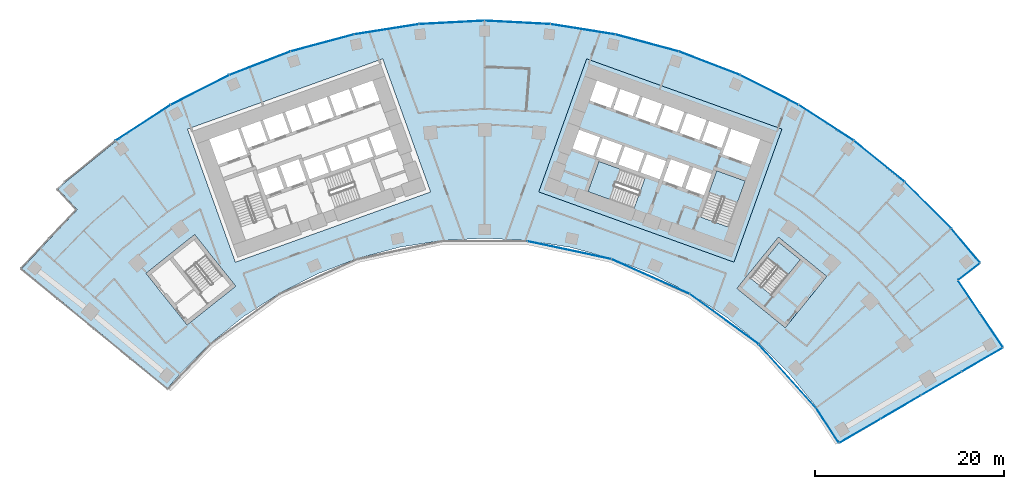
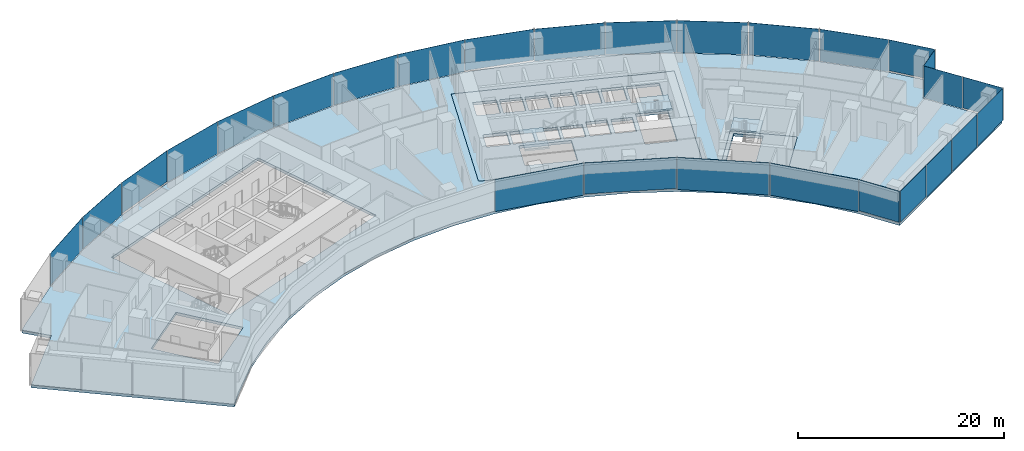
# One storey, part 12 of 20: 27 plates, 6 slabs, 8 elements without a shape of their own.
"""IFC4 building model written with IfcOpenShell, lengths in metres."""

from ifc_helpers import new_model, si_unit, direction, frame, origin, origin_2d, place, context, subcontext, project, spatial, polyline, rectangle, outline, extrude, material, layer, layer_set, type_object, element, aggregate, save


model = new_model("IFC4")

# Units and contexts
model_context = context("Model", 3, precision=1e-05, world=origin(), true_north=direction((0.0, 1.0)))
body_context = subcontext(model_context, "Body", "Model", "MODEL_VIEW")
ifc_project = project(units=[si_unit("LENGTHUNIT", "METRE"), si_unit("AREAUNIT", "SQUARE_METRE"), si_unit("VOLUMEUNIT", "CUBIC_METRE"), si_unit("PLANEANGLEUNIT", "RADIAN"), si_unit("MASSUNIT", "GRAM", prefix="KILO")], contexts=[model_context])

# Site, building, storey
site_placement = place(None, origin())
site = spatial("IfcSite", under=ifc_project, at=site_placement, CompositionType="ELEMENT")
building_placement = place(site_placement, origin())
building = spatial("IfcBuilding", under=site, at=building_placement, Name="Stone Belt Terrace Tower", CompositionType="ELEMENT")
storey_placement = place(building_placement, frame((0.0, 0.0, 106.0)))
storey = spatial("IfcBuildingStorey", under=building, at=storey_placement, Name="L25", CompositionType="ELEMENT", Elevation=106.0)

# Curtain wall, plates
ifc_material_1 = material(Name="Aluminium 6063-T6 anodised frame", Category="aluminium")
ifc_layer_1 = layer(ifc_material_1, 0.14990234375)
ifc_layer_set_1 = layer_set([ifc_layer_1], Name="CW-A unitised convex-face curtain wall")
curtain_wall_type_1 = type_object("IfcCurtainWallType", Name="CW-A unitised convex-face curtain wall", PredefinedType="NOTDEFINED", material=ifc_layer_set_1)
curtain_wall_1_placement = place(storey_placement, origin())
curtain_wall_1 = element("IfcCurtainWall", 1, at=curtain_wall_1_placement, inside=storey, type_object=curtain_wall_type_1, Name="CW-A convex face L25", PredefinedType="NOTDEFINED")
ifc_material_2 = material(Name="Clear double glazed unit")
ifc_layer_2 = layer(ifc_material_2, 0.031982421875)
ifc_layer_set_2 = layer_set([ifc_layer_2], Name="CW-A glass panel 32")
plate_type_1 = type_object("IfcPlateType", Name="CW-A glass panel 32", PredefinedType="CURTAIN_PANEL", material=ifc_layer_set_2)
plate_1_placement = place(storey_placement, frame((50.993896484375, 42.73583984375, 0.14013671875), z_axis=(0.0, 0.0, 1.0), x_axis=(-0.642509184121, 0.766277983711, 0.0)))
plate_1 = element("IfcPlate", 2, at=plate_1_placement, type_object=plate_type_1, Name="CW-A panel 1.1", PredefinedType="CURTAIN_PANEL", context=body_context, shape_type="SweptSolid", body=[
    extrude(rectangle(XDim=4.662841796875, YDim=0.031982421875, at=origin_2d()), origin(), (0.0, 0.0, 1.0), 3.659912109375),
])
plate_2_placement = place(storey_placement, frame((47.01123046875, 47.01123046875, 0.0), z_axis=(0.0, 0.0, 1.0), x_axis=(-0.707106781187, 0.707106781187, 0.0)))
plate_2 = element("IfcPlate", 3, at=plate_2_placement, type_object=plate_type_1, Name="CW-A panel 2.1", PredefinedType="CURTAIN_PANEL", context=body_context, shape_type="SweptSolid", body=[
    extrude(rectangle(XDim=6.90087890625, YDim=0.031982421875, at=origin_2d()), origin(), (0.0, 0.0, 1.0), 3.800048828125),
])
plate_3_placement = place(storey_placement, frame((41.839599609375, 51.667724609375, 0.0), z_axis=(0.0, 0.0, 1.0), x_axis=(-0.777145961457, 0.62932039105, 0.0)))
plate_3 = element("IfcPlate", 4, at=plate_3_placement, type_object=plate_type_1, Name="CW-A panel 3.1", PredefinedType="CURTAIN_PANEL", context=body_context, shape_type="SweptSolid", body=[
    extrude(rectangle(XDim=6.90087890625, YDim=0.031982421875, at=origin_2d()), origin(), (0.0, 0.0, 1.0), 3.800048828125),
])
plate_4_placement = place(storey_placement, frame((36.209716796875, 55.758056640625, 0.0), z_axis=(0.0, 0.0, 1.0), x_axis=(-0.838670567945, 0.544639035015, 0.0)))
plate_4 = element("IfcPlate", 5, at=plate_4_placement, type_object=plate_type_1, Name="CW-A panel 4.1", PredefinedType="CURTAIN_PANEL", context=body_context, shape_type="SweptSolid", body=[
    extrude(rectangle(XDim=6.90087890625, YDim=0.031982421875, at=origin_2d()), origin(), (0.0, 0.0, 1.0), 3.800048828125),
])
plate_5_placement = place(storey_placement, frame((30.18310546875, 59.237548828125, 0.0), z_axis=(0.0, 0.0, 1.0), x_axis=(-0.891006524188, 0.45399049974, 0.0)))
plate_5 = element("IfcPlate", 6, at=plate_5_placement, type_object=plate_type_1, Name="CW-A panel 5.1", PredefinedType="CURTAIN_PANEL", context=body_context, shape_type="SweptSolid", body=[
    extrude(rectangle(XDim=6.90087890625, YDim=0.031982421875, at=origin_2d()), origin(), (0.0, 0.0, 1.0), 3.800048828125),
])
plate_6_placement = place(storey_placement, frame((23.82568359375, 62.068115234375, 0.0), z_axis=(0.0, 0.0, 1.0), x_axis=(-0.933580426497, 0.358367949545, 0.0)))
plate_6 = element("IfcPlate", 7, at=plate_6_placement, type_object=plate_type_1, Name="CW-A panel 6.1", PredefinedType="CURTAIN_PANEL", context=body_context, shape_type="SweptSolid", body=[
    extrude(rectangle(XDim=6.90087890625, YDim=0.031982421875, at=origin_2d()), origin(), (0.0, 0.0, 1.0), 3.800048828125),
])
plate_7_placement = place(storey_placement, frame((17.207275390625, 64.218505859375, 0.14013671875), z_axis=(0.0, 0.0, 1.0), x_axis=(-0.965925826289, 0.258819045103, 0.0)))
plate_7 = element("IfcPlate", 8, at=plate_7_placement, type_object=plate_type_1, Name="CW-A panel 7.1", PredefinedType="CURTAIN_PANEL", context=body_context, shape_type="SweptSolid", body=[
    extrude(rectangle(XDim=6.90087890625, YDim=0.031982421875, at=origin_2d()), origin(), (0.0, 0.0, 1.0), 3.659912109375),
])
plate_8_placement = place(storey_placement, frame((10.400390625, 65.665283203125, 0.0), z_axis=(0.0, 0.0, 1.0), x_axis=(-0.987688340595, 0.15643446504, 0.0)))
plate_8 = element("IfcPlate", 9, at=plate_8_placement, type_object=plate_type_1, Name="CW-A panel 8.1", PredefinedType="CURTAIN_PANEL", context=body_context, shape_type="SweptSolid", body=[
    extrude(rectangle(XDim=6.90087890625, YDim=0.031982421875, at=origin_2d()), origin(), (0.0, 0.0, 1.0), 3.800048828125),
])
plate_9_placement = place(storey_placement, frame((3.4794921875, 66.392822265625, 0.0), z_axis=(0.0, 0.0, 1.0), x_axis=(-0.998629534755, 0.052335956243, 0.0)))
plate_9 = element("IfcPlate", 10, at=plate_9_placement, type_object=plate_type_1, Name="CW-A panel 9.1", PredefinedType="CURTAIN_PANEL", context=body_context, shape_type="SweptSolid", body=[
    extrude(rectangle(XDim=6.90087890625, YDim=0.031982421875, at=origin_2d()), origin(), (0.0, 0.0, 1.0), 3.800048828125),
])
plate_10_placement = place(storey_placement, frame((-3.4794921875, 66.392822265625, 0.0), z_axis=(0.0, 0.0, 1.0), x_axis=(-0.998629534755, -0.052335956243, 0.0)))
plate_10 = element("IfcPlate", 11, at=plate_10_placement, type_object=plate_type_1, Name="CW-A panel 10.1", PredefinedType="CURTAIN_PANEL", context=body_context, shape_type="SweptSolid", body=[
    extrude(rectangle(XDim=6.90087890625, YDim=0.031982421875, at=origin_2d()), origin(), (0.0, 0.0, 1.0), 3.800048828125),
])
plate_11_placement = place(storey_placement, frame((-10.400390625, 65.665283203125, 0.0), z_axis=(0.0, 0.0, 1.0), x_axis=(-0.987688340595, -0.15643446504, 0.0)))
plate_11 = element("IfcPlate", 12, at=plate_11_placement, type_object=plate_type_1, Name="CW-A panel 11.1", PredefinedType="CURTAIN_PANEL", context=body_context, shape_type="SweptSolid", body=[
    extrude(rectangle(XDim=6.90087890625, YDim=0.031982421875, at=origin_2d()), origin(), (0.0, 0.0, 1.0), 3.800048828125),
])
plate_12_placement = place(storey_placement, frame((-17.207275390625, 64.218505859375, 0.0), z_axis=(0.0, 0.0, 1.0), x_axis=(-0.965925826289, -0.258819045103, 0.0)))
plate_12 = element("IfcPlate", 13, at=plate_12_placement, type_object=plate_type_1, Name="CW-A panel 12.1", PredefinedType="CURTAIN_PANEL", context=body_context, shape_type="SweptSolid", body=[
    extrude(rectangle(XDim=6.90087890625, YDim=0.031982421875, at=origin_2d()), origin(), (0.0, 0.0, 1.0), 3.800048828125),
])
plate_13_placement = place(storey_placement, frame((-23.82568359375, 62.068115234375, 0.14013671875), z_axis=(0.0, 0.0, 1.0), x_axis=(-0.933580426497, -0.358367949545, 0.0)))
plate_13 = element("IfcPlate", 14, at=plate_13_placement, type_object=plate_type_1, Name="CW-A panel 13.1", PredefinedType="CURTAIN_PANEL", context=body_context, shape_type="SweptSolid", body=[
    extrude(rectangle(XDim=6.90087890625, YDim=0.031982421875, at=origin_2d()), origin(), (0.0, 0.0, 1.0), 3.659912109375),
])
plate_14_placement = place(storey_placement, frame((-30.18310546875, 59.237548828125, 0.0), z_axis=(0.0, 0.0, 1.0), x_axis=(-0.891006524188, -0.45399049974, 0.0)))
plate_14 = element("IfcPlate", 15, at=plate_14_placement, type_object=plate_type_1, Name="CW-A panel 14.1", PredefinedType="CURTAIN_PANEL", context=body_context, shape_type="SweptSolid", body=[
    extrude(rectangle(XDim=6.90087890625, YDim=0.031982421875, at=origin_2d()), origin(), (0.0, 0.0, 1.0), 3.800048828125),
])
plate_15_placement = place(storey_placement, frame((-36.209716796875, 55.758056640625, 0.0), z_axis=(0.0, 0.0, 1.0), x_axis=(-0.838670567945, -0.544639035015, 0.0)))
plate_15 = element("IfcPlate", 16, at=plate_15_placement, type_object=plate_type_1, Name="CW-A panel 15.1", PredefinedType="CURTAIN_PANEL", context=body_context, shape_type="SweptSolid", body=[
    extrude(rectangle(XDim=6.90087890625, YDim=0.031982421875, at=origin_2d()), origin(), (0.0, 0.0, 1.0), 3.800048828125),
])
aggregate(curtain_wall_1, [plate_1, plate_2, plate_3, plate_4, plate_5, plate_6, plate_7, plate_8, plate_9, plate_10, plate_11, plate_12, plate_13, plate_14, plate_15])

ifc_layer_3 = layer(ifc_material_1, 0.14990234375)
ifc_layer_set_3 = layer_set([ifc_layer_3], Name="CW-B unitised concave-face curtain wall")
curtain_wall_type_2 = type_object("IfcCurtainWallType", Name="CW-B unitised concave-face curtain wall", PredefinedType="NOTDEFINED", material=ifc_layer_set_3)
curtain_wall_2_placement = place(storey_placement, origin())
curtain_wall_2 = element("IfcCurtainWall", 17, at=curtain_wall_2_placement, inside=storey, type_object=curtain_wall_type_2, Name="CW-B concave face L25", PredefinedType="NOTDEFINED")
ifc_layer_4 = layer(ifc_material_2, 0.030029296875)
ifc_layer_set_4 = layer_set([ifc_layer_4], Name="CW-B glass panel 30")
plate_type_2 = type_object("IfcPlateType", Name="CW-B glass panel 30", PredefinedType="CURTAIN_PANEL", material=ifc_layer_set_4)
plate_16_placement = place(storey_placement, frame((8.97900390625, 42.242919921875, 0.0), z_axis=(0.0, 0.0, 1.0), x_axis=(0.978147600734, -0.207911690818, 0.0)))
plate_16 = element("IfcPlate", 18, at=plate_16_placement, type_object=plate_type_2, Name="CW-B panel 6.1", PredefinedType="CURTAIN_PANEL", context=body_context, shape_type="SweptSolid", body=[
    extrude(rectangle(XDim=9.0126953125, YDim=0.030029296875, at=origin_2d()), origin(), (0.0, 0.0, 1.0), 3.800048828125),
])
plate_17_placement = place(storey_placement, frame((17.565673828125, 39.453125, 0.1201171875), z_axis=(0.0, 0.0, 1.0), x_axis=(0.913545457643, -0.406736643076, 0.0)))
plate_17 = element("IfcPlate", 19, at=plate_17_placement, type_object=plate_type_2, Name="CW-B panel 7.1", PredefinedType="CURTAIN_PANEL", context=body_context, shape_type="SweptSolid", body=[
    extrude(rectangle(XDim=9.0126953125, YDim=0.030029296875, at=origin_2d()), origin(), (0.0, 0.0, 1.0), 3.679931640625),
])
plate_18_placement = place(storey_placement, frame((25.384521484375, 34.938720703125, 0.0), z_axis=(0.0, 0.0, 1.0), x_axis=(0.809016994375, -0.587785252292, 0.0)))
plate_18 = element("IfcPlate", 20, at=plate_18_placement, type_object=plate_type_2, Name="CW-B panel 8.1", PredefinedType="CURTAIN_PANEL", context=body_context, shape_type="SweptSolid", body=[
    extrude(rectangle(XDim=9.0126953125, YDim=0.030029296875, at=origin_2d()), origin(), (0.0, 0.0, 1.0), 3.800048828125),
])
plate_19_placement = place(storey_placement, frame((32.09521484375, 28.89599609375, 0.0), z_axis=(0.0, 0.0, 1.0), x_axis=(0.669130606359, -0.743144825477, 0.0)))
plate_19 = element("IfcPlate", 21, at=plate_19_placement, type_object=plate_type_2, Name="CW-B panel 9.1", PredefinedType="CURTAIN_PANEL", context=body_context, shape_type="SweptSolid", body=[
    extrude(rectangle(XDim=9.016845703125, YDim=0.030029296875, at=origin_2d()), origin(), (0.0, 0.0, 1.0), 3.800048828125),
])
plate_20_placement = place(storey_placement, frame((36.3408203125, 23.66943359375, 0.1201171875), z_axis=(0.0, 0.0, 1.0), x_axis=(0.546131502436, -0.837699458068, 0.0)))
plate_20 = element("IfcPlate", 22, at=plate_20_placement, type_object=plate_type_2, Name="CW-B panel 10.1", PredefinedType="CURTAIN_PANEL", context=body_context, shape_type="SweptSolid", body=[
    extrude(rectangle(XDim=4.363525390625, YDim=0.030029296875, at=origin_2d()), origin(), (0.0, 0.0, 1.0), 3.679931640625),
])
aggregate(curtain_wall_2, [plate_16, plate_17, plate_18, plate_19, plate_20])

ifc_layer_5 = layer(ifc_material_1, 0.14990234375)
ifc_layer_set_5 = layer_set([ifc_layer_5], Name="CW-C stick curtain wall, horn ends and notches")
curtain_wall_type_3 = type_object("IfcCurtainWallType", Name="CW-C stick curtain wall, horn ends and notches", PredefinedType="NOTDEFINED", material=ifc_layer_set_5)
curtain_wall_3_placement = place(storey_placement, origin())
curtain_wall_3 = element("IfcCurtainWall", 23, at=curtain_wall_3_placement, inside=storey, type_object=curtain_wall_type_3, Name="CW-C end face L25", PredefinedType="NOTDEFINED")
ifc_layer_6 = layer(ifc_material_2, 0.028076171875)
ifc_layer_set_6 = layer_set([ifc_layer_6], Name="CW-C glass panel 28")
plate_type_3 = type_object("IfcPlateType", Name="CW-C glass panel 28", PredefinedType="CURTAIN_PANEL", material=ifc_layer_set_6)
plate_21_placement = place(storey_placement, frame((39.78076171875, 23.06982421875, 0.1201171875), z_axis=(0.0, 0.0, 1.0), x_axis=(0.864239322284, 0.503080901861, 0.0)))
plate_21 = element("IfcPlate", 24, at=plate_21_placement, type_object=plate_type_3, Name="CW-C panel 1.1", PredefinedType="CURTAIN_PANEL", context=body_context, shape_type="SweptSolid", body=[
    extrude(rectangle(XDim=4.9677734375, YDim=0.028076171875, at=origin_2d()), origin(), (0.0, 0.0, 1.0), 3.679931640625),
])
plate_22_placement = place(storey_placement, frame((44.114013671875, 25.59228515625, 0.0), z_axis=(0.0, 0.0, 1.0), x_axis=(0.864239322284, 0.503080901861, 0.0)))
plate_22 = element("IfcPlate", 25, at=plate_22_placement, type_object=plate_type_3, Name="CW-C panel 2.1", PredefinedType="CURTAIN_PANEL", context=body_context, shape_type="SweptSolid", body=[
    extrude(rectangle(XDim=4.93994140625, YDim=0.028076171875, at=origin_2d()), origin(), (0.0, 0.0, 1.0), 3.800048828125),
])
plate_23_placement = place(storey_placement, frame((48.43505859375, 28.107666015625, 0.0), z_axis=(0.0, 0.0, 1.0), x_axis=(0.864239322284, 0.503080901861, 0.0)))
plate_23 = element("IfcPlate", 26, at=plate_23_placement, type_object=plate_type_3, Name="CW-C panel 3.1", PredefinedType="CURTAIN_PANEL", context=body_context, shape_type="SweptSolid", body=[
    extrude(rectangle(XDim=4.93994140625, YDim=0.028076171875, at=origin_2d()), origin(), (0.0, 0.0, 1.0), 3.800048828125),
])
plate_24_placement = place(storey_placement, frame((52.771484375, 30.6318359375, 0.0), z_axis=(0.0, 0.0, 1.0), x_axis=(0.864239322284, 0.503080901861, 0.0)))
plate_24 = element("IfcPlate", 27, at=plate_24_placement, type_object=plate_type_3, Name="CW-C panel 4.1", PredefinedType="CURTAIN_PANEL", context=body_context, shape_type="SweptSolid", body=[
    extrude(rectangle(XDim=4.974853515625, YDim=0.028076171875, at=origin_2d()), origin(), (0.0, 0.0, 1.0), 3.800048828125),
])
aggregate(curtain_wall_3, [plate_21, plate_22, plate_23, plate_24])

curtain_wall_4_placement = place(storey_placement, origin())
curtain_wall_4 = element("IfcCurtainWall", 28, at=curtain_wall_4_placement, inside=storey, type_object=curtain_wall_type_3, Name="CW-C notch face L25", PredefinedType="NOTDEFINED")
plate_25_placement = place(storey_placement, frame((53.748046875, 33.751220703125, 0.1201171875), z_axis=(0.0, 0.0, 1.0), x_axis=(-0.560367245622, 0.828244257471, 0.0)))
plate_25 = element("IfcPlate", 29, at=plate_25_placement, type_object=plate_type_3, Name="CW-C panel 1.1", PredefinedType="CURTAIN_PANEL", context=body_context, shape_type="SweptSolid", body=[
    extrude(rectangle(XDim=4.268798828125, YDim=0.028076171875, at=origin_2d()), origin(), (0.0, 0.0, 1.0), 3.679931640625),
])
plate_26_placement = place(storey_placement, frame((51.364013671875, 37.275146484375, 0.0), z_axis=(0.0, 0.0, 1.0), x_axis=(-0.560367245622, 0.828244257471, 0.0)))
plate_26 = element("IfcPlate", 30, at=plate_26_placement, type_object=plate_type_3, Name="CW-C panel 2.1", PredefinedType="CURTAIN_PANEL", context=body_context, shape_type="SweptSolid", body=[
    extrude(rectangle(XDim=4.12060546875, YDim=0.028076171875, at=origin_2d()), origin(), (0.0, 0.0, 1.0), 3.800048828125),
])
aggregate(curtain_wall_4, [plate_25, plate_26])

# Curtain wall, plate
curtain_wall_5_placement = place(storey_placement, origin())
curtain_wall_5 = element("IfcCurtainWall", 31, at=curtain_wall_5_placement, inside=storey, type_object=curtain_wall_type_3, Name="CW-C notch face L25", PredefinedType="NOTDEFINED")
plate_27_placement = place(storey_placement, frame((51.353515625, 39.966552734375, 0.1201171875), z_axis=(0.0, 0.0, 1.0), x_axis=(0.788458012337, 0.615088581248, 0.0)))
plate_27 = element("IfcPlate", 32, at=plate_27_placement, type_object=plate_type_3, Name="CW-C panel 1.1", PredefinedType="CURTAIN_PANEL", context=body_context, shape_type="SweptSolid", body=[
    extrude(rectangle(XDim=2.859619140625, YDim=0.028076171875, at=origin_2d()), origin(), (0.0, 0.0, 1.0), 3.679931640625),
])
aggregate(curtain_wall_5, [plate_27])

# Slabs
ifc_material_3 = material(Name="Concrete B40", Category="concrete")
ifc_layer_7 = layer(ifc_material_3, 0.320068359375)
ifc_layer_set_7 = layer_set([ifc_layer_7], Name="Core floor slab 320")
slab_type_1 = type_object("IfcSlabType", Name="Core floor slab 320", PredefinedType="FLOOR", material=ifc_layer_set_7)
slab_1_placement = place(storey_placement, frame((0.0, 0.0, -0.320068359375)))
element("IfcSlab", 33, at=slab_1_placement, inside=storey, type_object=slab_type_1, Name="Core B floor L25", PredefinedType="FLOOR", context=body_context, shape_type="SweptSolid", body=[
    extrude(outline(polyline([(26.43505859375, 40.968994140625), (31.513916015625, 55.0830078125), (10.81396484375, 62.531982421875), (5.735107421875, 48.4189453125), (26.43505859375, 40.968994140625)]), holes=[polyline([(12.10595703125, 51.652099609375), (16.998046875, 49.89208984375), (15.846923828125, 46.69189453125), (10.955078125, 48.452880859375), (12.10595703125, 51.652099609375)]), polyline([(19.239990234375, 51.68896484375), (18.5458984375, 49.760009765625), (16.52294921875, 50.488037109375), (17.217041015625, 52.4169921875), (19.239990234375, 51.68896484375)]), polyline([(16.239990234375, 50.589111328125), (14.169921875, 51.333984375), (14.864013671875, 53.262939453125), (16.93408203125, 52.51806640625), (16.239990234375, 50.589111328125)]), polyline([(14.58203125, 53.364990234375), (13.887939453125, 51.43603515625), (11.864990234375, 52.1640625), (11.847900390625, 52.116943359375), (11.801025390625, 52.134033203125), (12.511962890625, 54.110107421875), (14.58203125, 53.364990234375)]), polyline([(9.30810546875, 53.031005859375), (10.01904296875, 55.007080078125), (12.22998046875, 54.2109375), (11.51904296875, 52.235107421875), (9.30810546875, 53.031005859375)]), polyline([(16.743896484375, 58.485107421875), (18.81396484375, 57.739990234375), (18.052001953125, 55.623046875), (15.98193359375, 56.367919921875), (16.743896484375, 58.485107421875)]), polyline([(14.39111328125, 59.33203125), (16.4609375, 58.5869140625), (15.699951171875, 56.469970703125), (13.6298828125, 57.215087890625), (14.39111328125, 59.33203125)]), polyline([(11.89794921875, 60.22900390625), (14.10888671875, 59.43408203125), (13.346923828125, 57.31591796875), (11.135986328125, 58.112060546875), (11.89794921875, 60.22900390625)]), polyline([(25.85888671875, 44.68408203125), (22.847900390625, 45.76806640625), (24.60791015625, 50.659912109375), (27.618896484375, 49.575927734375), (25.85888671875, 44.68408203125)]), polyline([(21.27392578125, 48.778076171875), (22.0869140625, 51.035888671875), (24.06298828125, 50.324951171875), (23.25, 48.06689453125), (21.27392578125, 48.778076171875)]), polyline([(18.922119140625, 49.6240234375), (19.735107421875, 51.883056640625), (21.7109375, 51.1708984375), (20.89794921875, 48.9130859375), (18.922119140625, 49.6240234375)]), polyline([(29.2109375, 53.9990234375), (28.24609375, 51.31689453125), (25.18798828125, 52.41796875), (26.153076171875, 55.09912109375), (29.2109375, 53.9990234375)]), polyline([(23.801025390625, 55.946044921875), (25.87109375, 55.200927734375), (25.10888671875, 53.083984375), (23.0390625, 53.8291015625), (23.801025390625, 55.946044921875)]), polyline([(21.447998046875, 56.7919921875), (23.51806640625, 56.047119140625), (22.756103515625, 53.929931640625), (20.68603515625, 54.675048828125), (21.447998046875, 56.7919921875)]), polyline([(19.095947265625, 57.638916015625), (21.166015625, 56.89404296875), (20.404052734375, 54.777099609375), (18.333984375, 55.52197265625), (19.095947265625, 57.638916015625)])]), origin(), (0.0, 0.0, 1.0), 0.320068359375),
])
slab_2_placement = place(storey_placement, frame((0.0, 0.0, -0.320068359375)))
element("IfcSlab", 34, at=slab_2_placement, inside=storey, type_object=slab_type_1, Name="Exit stair ST3B floor L25", PredefinedType="FLOOR", context=body_context, shape_type="SweptSolid", body=[
    extrude(outline(polyline([(26.741943359375, 38.18408203125), (31.866943359375, 34.02392578125), (36.278076171875, 39.458984375), (31.154052734375, 43.618896484375), (26.741943359375, 38.18408203125)]), holes=[polyline([(30.407958984375, 37.462890625), (28.156005859375, 39.291015625), (31.2119140625, 43.055908203125), (33.464111328125, 41.22802734375), (30.407958984375, 37.462890625)])]), origin(), (0.0, 0.0, 1.0), 0.320068359375),
])
ifc_layer_8 = layer(ifc_material_3, 0.320068359375)
ifc_layer_set_8 = layer_set([ifc_layer_8], Name="Floor slab 320 B40")
slab_type_2 = type_object("IfcSlabType", Name="Floor slab 320 B40", PredefinedType="FLOOR", material=ifc_layer_set_8)
slab_3_placement = place(storey_placement, frame((0.0, 0.0, -0.320068359375)))
element("IfcSlab", 35, at=slab_3_placement, inside=storey, type_object=slab_type_2, Name="Floor slab L25", PredefinedType="FLOOR", context=body_context, shape_type="SweptSolid", body=[
    extrude(outline(polyline([(-44.497314453125, 49.419189453125), (-39.087646484375, 53.799560546875), (-33.25, 57.5908203125), (-27.048095703125, 60.750732421875), (-20.549560546875, 63.245361328125), (-13.826171875, 65.046875), (-6.951171875, 66.1357421875), (0.0, 66.5), (6.951171875, 66.1357421875), (13.826171875, 65.046875), (20.549560546875, 63.245361328125), (27.048095703125, 60.750732421875), (33.25, 57.5908203125), (39.087646484375, 53.799560546875), (44.497314453125, 49.419189453125), (49.419189453125, 44.497314453125), (52.4326171875, 40.9033203125), (50.067138671875, 39.05810546875), (54.879150390625, 31.945556640625), (37.594482421875, 21.884033203125), (35.192138671875, 25.568603515625), (32.326904296875, 29.107177734375), (29.107177734375, 32.326904296875), (25.568603515625, 35.192138671875), (21.75, 37.672119140625), (17.693115234375, 39.7392578125), (13.442138671875, 41.37109375), (9.044189453125, 42.54931640625), (4.547119140625, 43.26171875), (0.0, 43.5), (-4.547119140625, 43.26171875), (-9.044189453125, 42.54931640625), (-13.442138671875, 41.37109375), (-17.693115234375, 39.7392578125), (-21.75, 37.672119140625), (-25.568603515625, 35.192138671875), (-29.107177734375, 32.326904296875), (-32.326904296875, 29.107177734375), (-33.627685546875, 27.593994140625), (-49.088623046875, 40.281005859375), (-43.204833984375, 46.535888671875), (-45.24609375, 48.734375), (-44.497314453125, 49.419189453125)]), holes=[polyline([(-26.434814453125, 40.968994140625), (-5.734619140625, 48.418701171875), (-10.81396484375, 62.532470703125), (-31.51416015625, 55.082763671875), (-26.434814453125, 40.968994140625)]), polyline([(10.81396484375, 62.532470703125), (5.734619140625, 48.418701171875), (26.434814453125, 40.968994140625), (31.51416015625, 55.082763671875), (10.81396484375, 62.532470703125)]), polyline([(-35.91796875, 39.787353515625), (-31.55615234375, 34.3125), (-26.39404296875, 38.425048828125), (-30.756103515625, 43.89990234375), (-35.91796875, 39.787353515625)]), polyline([(36.2783203125, 39.459228515625), (31.15380859375, 43.61865234375), (26.742431640625, 38.18359375), (31.86669921875, 34.024169921875), (36.2783203125, 39.459228515625)])]), origin(), (0.0, 0.0, 1.0), 0.320068359375),
])

# Stair, slab
stair_type = type_object("IfcStairType", Name="Exit stair 1500", PredefinedType="HALF_TURN_STAIR", material=ifc_material_3)
stair_1_placement = place(storey_placement, origin())
stair_1 = element("IfcStair", 36, at=stair_1_placement, inside=storey, type_object=stair_type, Name="L25 Exit stair 1 core B", PredefinedType="HALF_TURN_STAIR")
ifc_layer_9 = layer(ifc_material_3, 0.199951171875)
ifc_layer_set_9 = layer_set([ifc_layer_9], Name="Stair landing 200")
slab_type_3 = type_object("IfcSlabType", Name="Stair landing 200", PredefinedType="LANDING", material=ifc_layer_set_9)
slab_4_placement = place(storey_placement, frame((0.0, 0.0, 1.699951171875)))
slab_4 = element("IfcSlab", 37, at=slab_4_placement, type_object=slab_type_3, Name="ST1B landing 1", PredefinedType="LANDING", context=body_context, shape_type="SweptSolid", body=[
    extrude(outline(polyline([(26.806396484375, 47.3173828125), (27.619384765625, 49.576171875), (24.6083984375, 50.659912109375), (23.79541015625, 48.40087890625), (26.806396484375, 47.3173828125)])), origin(), (0.0, 0.0, 1.0), 0.199951171875),
])
aggregate(stair_1, [slab_4])

stair_2_placement = place(storey_placement, origin())
stair_2 = element("IfcStair", 38, at=stair_2_placement, inside=storey, type_object=stair_type, Name="L25 Exit stair 2 core B", PredefinedType="HALF_TURN_STAIR")
slab_5_placement = place(storey_placement, frame((0.0, 0.0, 1.699951171875)))
slab_5 = element("IfcSlab", 39, at=slab_5_placement, type_object=slab_type_3, Name="ST2B landing 1", PredefinedType="LANDING", context=body_context, shape_type="SweptSolid", body=[
    extrude(outline(polyline([(14.36474609375, 50.839111328125), (12.10595703125, 51.652099609375), (10.95458984375, 48.453125), (13.213623046875, 47.64013671875), (14.36474609375, 50.839111328125)])), origin(), (0.0, 0.0, 1.0), 0.199951171875),
])
aggregate(stair_2, [slab_5])

stair_3_placement = place(storey_placement, origin())
stair_3 = element("IfcStair", 40, at=stair_3_placement, inside=storey, type_object=stair_type, Name="L25 Exit stair 3B", PredefinedType="HALF_TURN_STAIR")
slab_6_placement = place(storey_placement, frame((0.0, 0.0, 1.699951171875)))
slab_6 = element("IfcSlab", 41, at=slab_6_placement, type_object=slab_type_3, Name="ST3B landing 1", PredefinedType="LANDING", context=body_context, shape_type="SweptSolid", body=[
    extrude(outline(polyline([(32.17138671875, 39.635986328125), (33.4638671875, 41.228271484375), (31.21240234375, 43.055908203125), (29.919921875, 41.463623046875), (32.17138671875, 39.635986328125)])), origin(), (0.0, 0.0, 1.0), 0.199951171875),
])
aggregate(stair_3, [slab_6])

save(model, "model.ifc")
